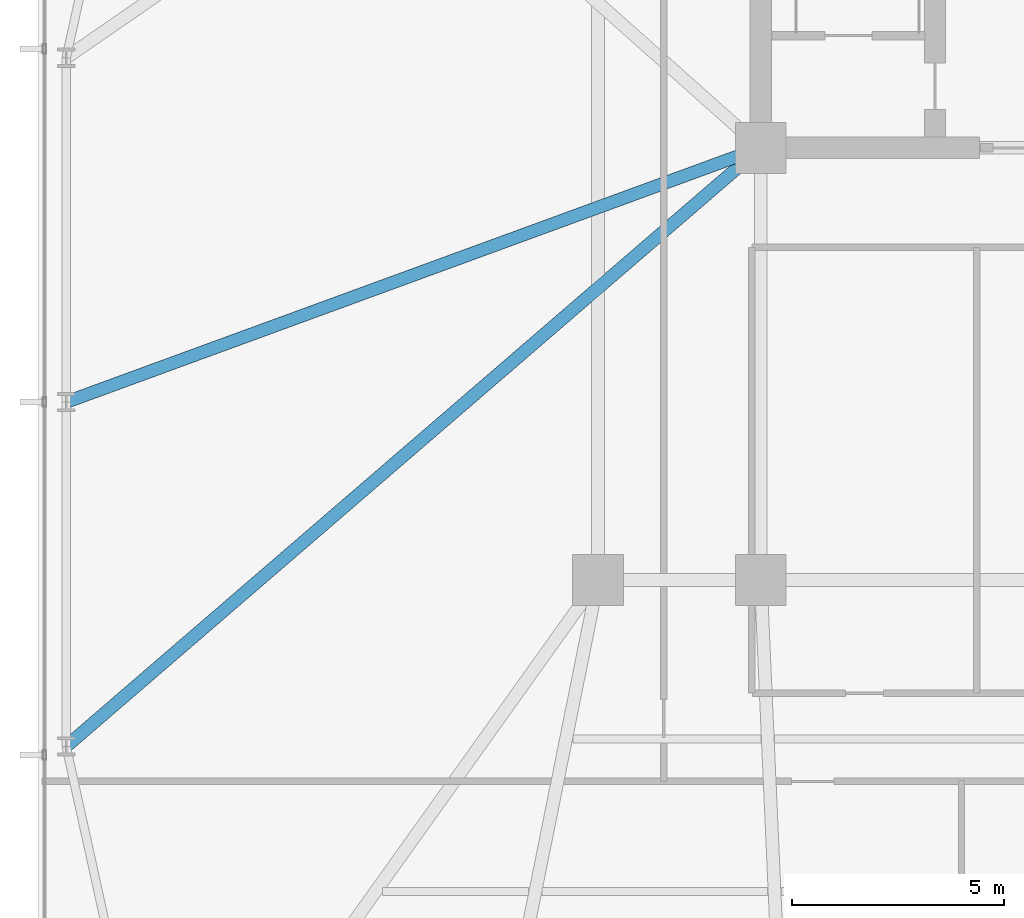
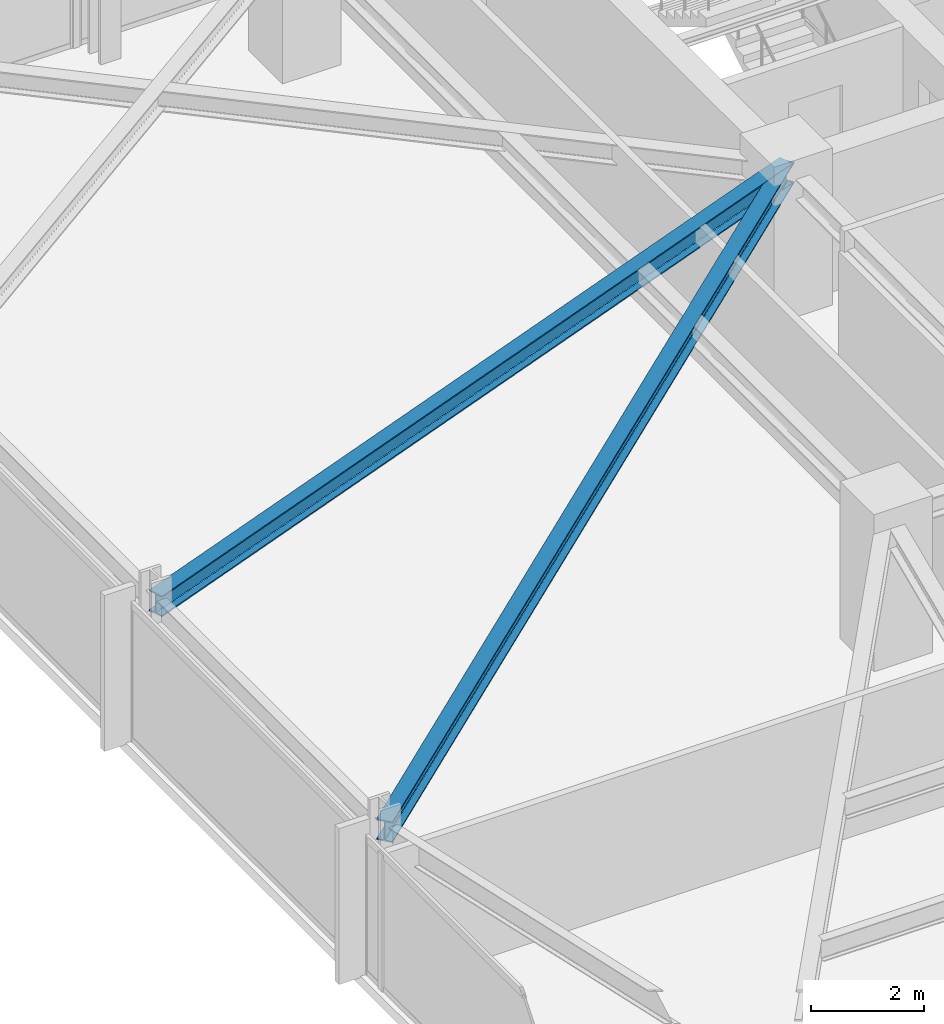
# One storey, part 8 of 32: 2 beams.
"""IFC4 building model written with IfcOpenShell, lengths in metres."""

from ifc_helpers import new_model, si_unit, direction, frame, origin, origin_2d, place, context, subcontext, project, spatial, i_section, extrude, material, material_profile, profile_set, type_object, element, save


model = new_model("IFC4")

# Units and contexts
model_context = context("Model", 3, precision=1e-05, world=origin(), true_north=direction((0.0, 1.0)))
body_context = subcontext(model_context, "Body", "Model", "MODEL_VIEW")
ifc_project = project(units=[si_unit("LENGTHUNIT", "METRE"), si_unit("AREAUNIT", "SQUARE_METRE"), si_unit("VOLUMEUNIT", "CUBIC_METRE"), si_unit("PLANEANGLEUNIT", "RADIAN"), si_unit("MASSUNIT", "GRAM", prefix="KILO")], contexts=[model_context])

# Site, building, storey
site_placement = place(None, origin())
site = spatial("IfcSite", under=ifc_project, at=site_placement, CompositionType="ELEMENT")
building_placement = place(site_placement, origin())
building = spatial("IfcBuilding", under=site, at=building_placement, Name="Yelkora Congress Tower", CompositionType="ELEMENT")
storey_placement = place(building_placement, frame((0.0, 0.0, 74.60009765625)))
storey = spatial("IfcBuildingStorey", under=building, at=storey_placement, Name="L19", CompositionType="ELEMENT", Elevation=74.60009765625)

# Beams
ifc_material = material(Name="Steel S355J2", Category="steel")
ifc_material_profile = material_profile(ifc_material, i_section(OverallWidth=0.300048828125, OverallDepth=0.449951171875, WebThickness=0.013916015625, FlangeThickness=0.02587890625, FilletRadius=0.027099609375, at=origin_2d()), Name="HEB 450")
ifc_profile_set = profile_set([ifc_material_profile], Name="Steel S355J2")
beam_type = type_object("IfcBeamType", Name="BM-GIRD-HEB450", PredefinedType="BEAM", material=ifc_profile_set)
beam_1_placement = place(storey_placement, frame((6.64990234375, 21.27490234375, 2.7548828125), z_axis=(0.757511165967, 0.652822206604, 0.0), x_axis=(-0.652822206604, 0.757511165967, 0.0)))
element("IfcBeam", 1, at=beam_1_placement, inside=storey, type_object=beam_type, Name="L19 Primary Frame Girder W01", PredefinedType="BEAM", context=body_context, shape_type="SweptSolid", body=[
    extrude(i_section(OverallWidth=0.300048828125, OverallDepth=0.449951171875, WebThickness=0.013916015625, FlangeThickness=0.02587890625, FilletRadius=0.027099609375, at=origin_2d()), origin(), (0.0, 0.0, 1.0), 21.63671875),
])
beam_2_placement = place(storey_placement, frame((6.64990234375, 29.39990234375, 2.7548828125), z_axis=(0.939056124561, 0.343763865064, 0.0), x_axis=(-0.343763865064, 0.939056124561, 0.0)))
element("IfcBeam", 2, at=beam_2_placement, inside=storey, type_object=beam_type, Name="L19 Primary Frame Girder W02", PredefinedType="BEAM", context=body_context, shape_type="SweptSolid", body=[
    extrude(i_section(OverallWidth=0.300048828125, OverallDepth=0.449951171875, WebThickness=0.013916015625, FlangeThickness=0.02587890625, FilletRadius=0.027099609375, at=origin_2d()), origin(), (0.0, 0.0, 1.0), 17.453857421875),
])

save(model, "model.ifc")
